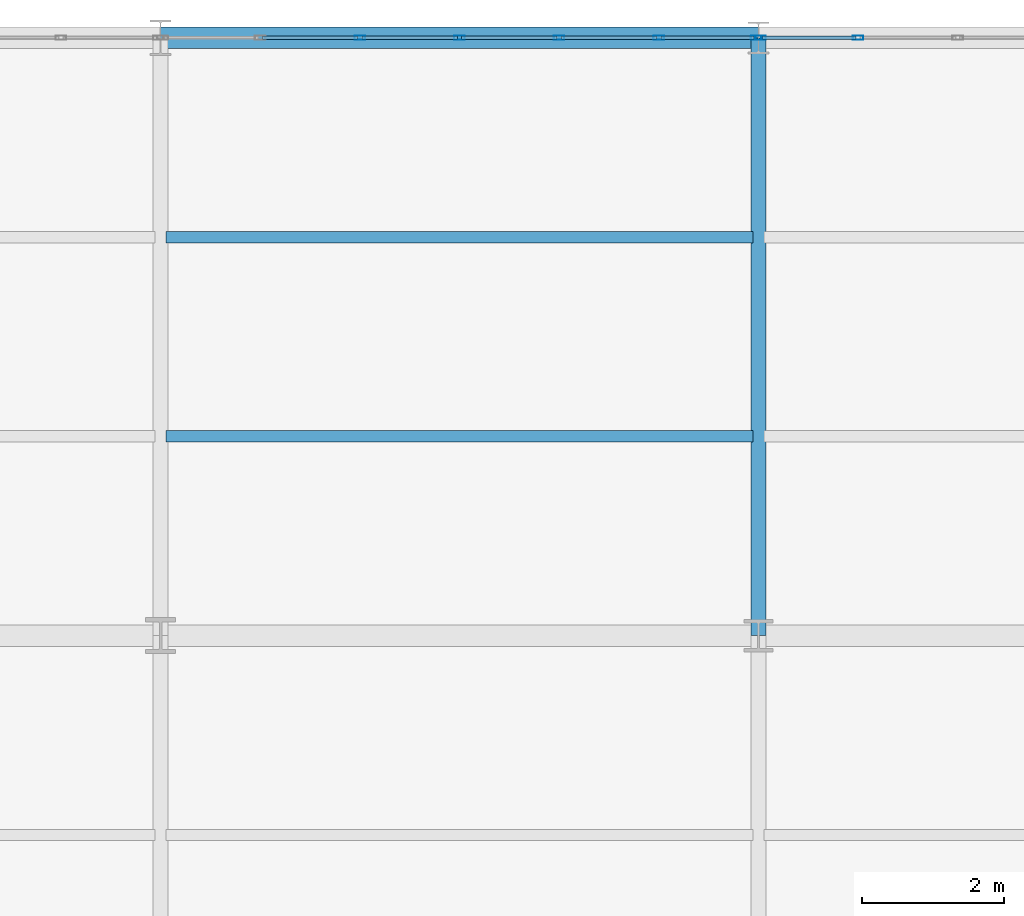
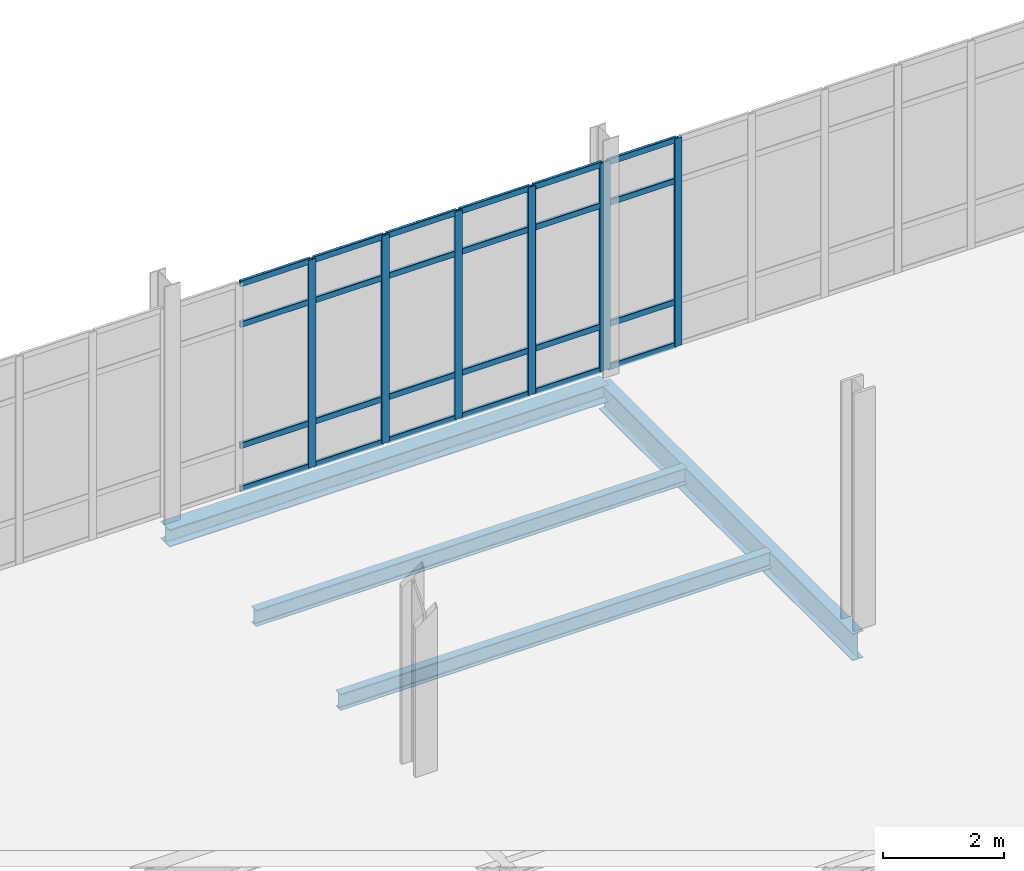
# One storey, part 86 of 145: 31 members, 4 beams, 2 elements without a shape of their own.
"""IFC4 building model written with IfcOpenShell, lengths in metres."""

from ifc_helpers import new_model, si_unit, direction, frame, origin, origin_2d, place, context, subcontext, project, spatial, hollow_rectangle, i_section, extrude, material, layer, layer_set, material_profile, profile_set, type_object, element, aggregate, save


model = new_model("IFC4")

# Units and contexts
model_context = context("Model", 3, precision=1e-05, world=origin(), true_north=direction((0.0, 1.0)))
body_context = subcontext(model_context, "Body", "Model", "MODEL_VIEW")
ifc_project = project(units=[si_unit("LENGTHUNIT", "METRE"), si_unit("AREAUNIT", "SQUARE_METRE"), si_unit("VOLUMEUNIT", "CUBIC_METRE"), si_unit("PLANEANGLEUNIT", "RADIAN"), si_unit("MASSUNIT", "GRAM", prefix="KILO")], contexts=[model_context])

# Site, building, storey
site_placement = place(None, origin())
site = spatial("IfcSite", under=ifc_project, at=site_placement, CompositionType="ELEMENT")
building_placement = place(site_placement, origin())
building = spatial("IfcBuilding", under=site, at=building_placement, Name="Qalvenar Corner Mobility Hub", CompositionType="ELEMENT")
storey_placement = place(building_placement, origin())
storey = spatial("IfcBuildingStorey", under=building, at=storey_placement, Name="L00", CompositionType="ELEMENT", Elevation=0.0)

# Beams
ifc_material_1 = material(Name="Steel S355", Category="steel")
ifc_material_profile_1 = material_profile(ifc_material_1, i_section(OverallWidth=0.2099609375, OverallDepth=0.550048828125, WebThickness=0.010986328125, FlangeThickness=0.01708984375, FilletRadius=0.02392578125, at=origin_2d()), Name="IPE550")
ifc_profile_set_1 = profile_set([ifc_material_profile_1], Name="Steel S355")
beam_type_1 = type_object("IfcBeamType", Name="BM-IPE550", PredefinedType="BEAM", material=ifc_profile_set_1)
beam_1_placement = place(storey_placement, frame((92.39990234375, 109.199951171875, -0.4951171875), z_axis=(0.0, 1.0, 0.0), x_axis=(-1.0, 0.0, 0.0)))
element("IfcBeam", 1, at=beam_1_placement, inside=storey, type_object=beam_type_1, Name="Primary Steel Girder GY-0616", PredefinedType="BEAM", context=body_context, shape_type="SweptSolid", body=[
    extrude(i_section(OverallWidth=0.2099609375, OverallDepth=0.550048828125, WebThickness=0.010986328125, FlangeThickness=0.01708984375, FilletRadius=0.02392578125, at=origin_2d()), origin(), (0.0, 0.0, 1.0), 8.400146484375),
])
ifc_material_profile_2 = material_profile(ifc_material_1, i_section(OverallWidth=0.159912109375, OverallDepth=0.330078125, WebThickness=0.007568359375, FlangeThickness=0.011474609375, FilletRadius=0.01806640625, at=origin_2d()), Name="IPE330")
ifc_profile_set_2 = profile_set([ifc_material_profile_2], Name="Steel S355")
beam_type_2 = type_object("IfcBeamType", Name="BM-JST330", PredefinedType="JOIST", material=ifc_profile_set_2)
for number, where, z_axis, x_axis, name in (
    (2, (84.077880859375, 112.0, -0.385009765625), (1.0, 0.0, 0.0), (0.0, 1.0, 0.0), "Composite Floor Joist J-0691"),
    (3, (84.077880859375, 114.800048828125, -0.385009765625), (1.0, 0.0, 0.0), (0.0, 1.0, 0.0), "Composite Floor Joist J-0692"),
):
    element("IfcBeam", number, at=place(storey_placement, frame(where, z_axis=z_axis, x_axis=x_axis)), inside=storey, type_object=beam_type_2, Name=name, PredefinedType="JOIST", context=body_context, shape_type="SweptSolid", body=[
        extrude(i_section(OverallWidth=0.159912109375, OverallDepth=0.330078125, WebThickness=0.007568359375, FlangeThickness=0.011474609375, FilletRadius=0.01806640625, at=origin_2d()), origin(), (0.0, 0.0, 1.0), 8.244140625),
    ])
ifc_material_profile_3 = material_profile(ifc_material_1, i_section(OverallWidth=0.300048828125, OverallDepth=0.35009765625, WebThickness=0.010009765625, FlangeThickness=0.017578125, FilletRadius=0.027099609375, at=origin_2d()), Name="HEA360")
ifc_profile_set_3 = profile_set([ifc_material_profile_3], Name="Steel S355")
beam_type_3 = type_object("IfcBeamType", Name="BM-SPN360", PredefinedType="SPANDREL", material=ifc_profile_set_3)
beam_2_placement = place(storey_placement, frame((84.0, 117.60009765625, -0.39501953125), z_axis=(1.0, 0.0, 0.0), x_axis=(0.0, 1.0, 0.0)))
element("IfcBeam", 4, at=beam_2_placement, inside=storey, type_object=beam_type_3, Name="Primary Steel Girder GX-0583", PredefinedType="SPANDREL", context=body_context, shape_type="SweptSolid", body=[
    extrude(i_section(OverallWidth=0.300048828125, OverallDepth=0.35009765625, WebThickness=0.010009765625, FlangeThickness=0.017578125, FilletRadius=0.027099609375, at=origin_2d()), origin(), (0.0, 0.0, 1.0), 8.39990234375),
])

# Curtain wall, members
ifc_material_2 = material(Name="Anodised Aluminium and Low-E Glazing", Category="aluminium")
ifc_layer = layer(ifc_material_2, 0.14990234375)
ifc_layer_set = layer_set([ifc_layer], Name="Anodised Aluminium and Low-E Glazing")
curtain_wall_type = type_object("IfcCurtainWallType", Name="CW-MOB-84X46", PredefinedType="NOTDEFINED", material=ifc_layer_set)
curtain_wall_1_placement = place(storey_placement, origin())
curtain_wall_1 = element("IfcCurtainWall", 5, at=curtain_wall_1_placement, inside=storey, type_object=curtain_wall_type, Name="Glazed Curtain Wall CW-V4-L00-N3", PredefinedType="NOTDEFINED")
ifc_material_3 = material(Name="Anodised Aluminium 6063-T6", Category="aluminium")
ifc_material_profile_4 = material_profile(ifc_material_3, hollow_rectangle(XDim=0.06005859375, YDim=0.14990234375, WallThickness=0.00390625, InnerFilletRadius=0.00390625, OuterFilletRadius=0.008056640625, at=origin_2d()), Name="RHS150x60x4")
ifc_profile_set_4 = profile_set([ifc_material_profile_4], Name="Anodised Aluminium 6063-T6")
member_type_1 = type_object("IfcMemberType", Name="CW-MUL150", PredefinedType="MULLION", material=ifc_profile_set_4)
member_1_placement = place(storey_placement, frame((92.3701171875, 117.60009765625, 0.0), z_axis=(0.0, 0.0, 1.0), x_axis=(0.0, -1.0, 0.0)))
member_1 = element("IfcMember", 6, at=member_1_placement, type_object=member_type_1, Name="CW-03 mullion 1", PredefinedType="MULLION", context=body_context, shape_type="SweptSolid", body=[
    extrude(hollow_rectangle(XDim=0.06005859375, YDim=0.14990234375, WallThickness=0.00390625, InnerFilletRadius=0.00390625, OuterFilletRadius=0.008056640625, at=origin_2d()), origin(), (0.0, 0.0, 1.0), 4.199951171875),
])
member_2_placement = place(storey_placement, frame((91.0, 117.60009765625, 0.0), z_axis=(0.0, 0.0, 1.0), x_axis=(0.0, -1.0, 0.0)))
member_2 = element("IfcMember", 7, at=member_2_placement, type_object=member_type_1, Name="CW-03 mullion 2", PredefinedType="MULLION", context=body_context, shape_type="SweptSolid", body=[
    extrude(hollow_rectangle(XDim=0.06005859375, YDim=0.14990234375, WallThickness=0.00390625, InnerFilletRadius=0.00390625, OuterFilletRadius=0.008056640625, at=origin_2d()), origin(), (0.0, 0.0, 1.0), 4.199951171875),
])
member_3_placement = place(storey_placement, frame((89.60009765625, 117.60009765625, 0.0), z_axis=(0.0, 0.0, 1.0), x_axis=(0.0, -1.0, 0.0)))
member_3 = element("IfcMember", 8, at=member_3_placement, type_object=member_type_1, Name="CW-03 mullion 3", PredefinedType="MULLION", context=body_context, shape_type="SweptSolid", body=[
    extrude(hollow_rectangle(XDim=0.06005859375, YDim=0.14990234375, WallThickness=0.00390625, InnerFilletRadius=0.00390625, OuterFilletRadius=0.008056640625, at=origin_2d()), origin(), (0.0, 0.0, 1.0), 4.199951171875),
])
member_4_placement = place(storey_placement, frame((88.199951171875, 117.60009765625, 0.0), z_axis=(0.0, 0.0, 1.0), x_axis=(0.0, -1.0, 0.0)))
member_4 = element("IfcMember", 9, at=member_4_placement, type_object=member_type_1, Name="CW-03 mullion 4", PredefinedType="MULLION", context=body_context, shape_type="SweptSolid", body=[
    extrude(hollow_rectangle(XDim=0.06005859375, YDim=0.14990234375, WallThickness=0.00390625, InnerFilletRadius=0.00390625, OuterFilletRadius=0.008056640625, at=origin_2d()), origin(), (0.0, 0.0, 1.0), 4.199951171875),
])
member_5_placement = place(storey_placement, frame((86.800048828125, 117.60009765625, 0.0), z_axis=(0.0, 0.0, 1.0), x_axis=(0.0, -1.0, 0.0)))
member_5 = element("IfcMember", 10, at=member_5_placement, type_object=member_type_1, Name="CW-03 mullion 5", PredefinedType="MULLION", context=body_context, shape_type="SweptSolid", body=[
    extrude(hollow_rectangle(XDim=0.06005859375, YDim=0.14990234375, WallThickness=0.00390625, InnerFilletRadius=0.00390625, OuterFilletRadius=0.008056640625, at=origin_2d()), origin(), (0.0, 0.0, 1.0), 4.199951171875),
])

curtain_wall_2_placement = place(storey_placement, origin())
curtain_wall_2 = element("IfcCurtainWall", 11, at=curtain_wall_2_placement, inside=storey, type_object=curtain_wall_type, Name="Glazed Curtain Wall CW-V4-L00-N4", PredefinedType="NOTDEFINED")
member_6_placement = place(storey_placement, frame((93.800048828125, 117.60009765625, 0.0), z_axis=(0.0, 0.0, 1.0), x_axis=(0.0, -1.0, 0.0)))
member_6 = element("IfcMember", 12, at=member_6_placement, type_object=member_type_1, Name="CW-03 mullion 6", PredefinedType="MULLION", context=body_context, shape_type="SweptSolid", body=[
    extrude(hollow_rectangle(XDim=0.06005859375, YDim=0.14990234375, WallThickness=0.00390625, InnerFilletRadius=0.00390625, OuterFilletRadius=0.008056640625, at=origin_2d()), origin(), (0.0, 0.0, 1.0), 4.199951171875),
])
member_7_placement = place(storey_placement, frame((92.429931640625, 117.60009765625, 0.0), z_axis=(0.0, 0.0, 1.0), x_axis=(0.0, -1.0, 0.0)))
member_7 = element("IfcMember", 13, at=member_7_placement, type_object=member_type_1, Name="CW-03 mullion 7", PredefinedType="MULLION", context=body_context, shape_type="SweptSolid", body=[
    extrude(hollow_rectangle(XDim=0.06005859375, YDim=0.14990234375, WallThickness=0.00390625, InnerFilletRadius=0.00390625, OuterFilletRadius=0.008056640625, at=origin_2d()), origin(), (0.0, 0.0, 1.0), 4.199951171875),
])

# Member
ifc_material_profile_5 = material_profile(ifc_material_3, hollow_rectangle(XDim=0.054931640625, YDim=0.1201171875, WallThickness=0.00341796875, InnerFilletRadius=0.00341796875, OuterFilletRadius=0.007080078125, at=origin_2d()), Name="RHS120x55x3.5")
ifc_profile_set_5 = profile_set([ifc_material_profile_5], Name="Anodised Aluminium 6063-T6")
member_type_2 = type_object("IfcMemberType", Name="CW-TRN120", PredefinedType="USERDEFINED", material=ifc_profile_set_5)
member_8_placement = place(storey_placement, frame((92.340087890625, 117.60009765625, 0.027587890625), z_axis=(-1.0, 0.0, 0.0), x_axis=(0.0, -1.0, 0.0)))
member_8 = element("IfcMember", 14, at=member_8_placement, type_object=member_type_2, Name="CW-03 transom 1.1", ObjectType="TRANSOM", PredefinedType="USERDEFINED", context=body_context, shape_type="SweptSolid", body=[
    extrude(hollow_rectangle(XDim=0.054931640625, YDim=0.1201171875, WallThickness=0.00341796875, InnerFilletRadius=0.00341796875, OuterFilletRadius=0.007080078125, at=origin_2d()), origin(), (0.0, 0.0, 1.0), 1.31005859375),
])

member_9_placement = place(storey_placement, frame((92.340087890625, 117.60009765625, 0.89990234375), z_axis=(-1.0, 0.0, 0.0), x_axis=(0.0, -1.0, 0.0)))
member_9 = element("IfcMember", 15, at=member_9_placement, type_object=member_type_2, Name="CW-03 transom 1.2", ObjectType="TRANSOM", PredefinedType="USERDEFINED", context=body_context, shape_type="SweptSolid", body=[
    extrude(hollow_rectangle(XDim=0.054931640625, YDim=0.1201171875, WallThickness=0.00341796875, InnerFilletRadius=0.00341796875, OuterFilletRadius=0.007080078125, at=origin_2d()), origin(), (0.0, 0.0, 1.0), 1.31005859375),
])

member_10_placement = place(storey_placement, frame((92.340087890625, 117.60009765625, 3.35009765625), z_axis=(-1.0, 0.0, 0.0), x_axis=(0.0, -1.0, 0.0)))
member_10 = element("IfcMember", 16, at=member_10_placement, type_object=member_type_2, Name="CW-03 transom 1.3", ObjectType="TRANSOM", PredefinedType="USERDEFINED", context=body_context, shape_type="SweptSolid", body=[
    extrude(hollow_rectangle(XDim=0.054931640625, YDim=0.1201171875, WallThickness=0.00341796875, InnerFilletRadius=0.00341796875, OuterFilletRadius=0.007080078125, at=origin_2d()), origin(), (0.0, 0.0, 1.0), 1.31005859375),
])

member_11_placement = place(storey_placement, frame((92.340087890625, 117.60009765625, 4.172607421875), z_axis=(-1.0, 0.0, 0.0), x_axis=(0.0, -1.0, 0.0)))
member_11 = element("IfcMember", 17, at=member_11_placement, type_object=member_type_2, Name="CW-03 transom 1.4", ObjectType="TRANSOM", PredefinedType="USERDEFINED", context=body_context, shape_type="SweptSolid", body=[
    extrude(hollow_rectangle(XDim=0.054931640625, YDim=0.1201171875, WallThickness=0.00341796875, InnerFilletRadius=0.00341796875, OuterFilletRadius=0.007080078125, at=origin_2d()), origin(), (0.0, 0.0, 1.0), 1.31005859375),
])

member_12_placement = place(storey_placement, frame((90.969970703125, 117.60009765625, 0.027587890625), z_axis=(-1.0, 0.0, 0.0), x_axis=(0.0, -1.0, 0.0)))
member_12 = element("IfcMember", 18, at=member_12_placement, type_object=member_type_2, Name="CW-03 transom 2.1", ObjectType="TRANSOM", PredefinedType="USERDEFINED", context=body_context, shape_type="SweptSolid", body=[
    extrude(hollow_rectangle(XDim=0.054931640625, YDim=0.1201171875, WallThickness=0.00341796875, InnerFilletRadius=0.00341796875, OuterFilletRadius=0.007080078125, at=origin_2d()), origin(), (0.0, 0.0, 1.0), 1.340087890625),
])

member_13_placement = place(storey_placement, frame((90.969970703125, 117.60009765625, 0.89990234375), z_axis=(-1.0, 0.0, 0.0), x_axis=(0.0, -1.0, 0.0)))
member_13 = element("IfcMember", 19, at=member_13_placement, type_object=member_type_2, Name="CW-03 transom 2.2", ObjectType="TRANSOM", PredefinedType="USERDEFINED", context=body_context, shape_type="SweptSolid", body=[
    extrude(hollow_rectangle(XDim=0.054931640625, YDim=0.1201171875, WallThickness=0.00341796875, InnerFilletRadius=0.00341796875, OuterFilletRadius=0.007080078125, at=origin_2d()), origin(), (0.0, 0.0, 1.0), 1.340087890625),
])

member_14_placement = place(storey_placement, frame((90.969970703125, 117.60009765625, 3.35009765625), z_axis=(-1.0, 0.0, 0.0), x_axis=(0.0, -1.0, 0.0)))
member_14 = element("IfcMember", 20, at=member_14_placement, type_object=member_type_2, Name="CW-03 transom 2.3", ObjectType="TRANSOM", PredefinedType="USERDEFINED", context=body_context, shape_type="SweptSolid", body=[
    extrude(hollow_rectangle(XDim=0.054931640625, YDim=0.1201171875, WallThickness=0.00341796875, InnerFilletRadius=0.00341796875, OuterFilletRadius=0.007080078125, at=origin_2d()), origin(), (0.0, 0.0, 1.0), 1.340087890625),
])

member_15_placement = place(storey_placement, frame((90.969970703125, 117.60009765625, 4.172607421875), z_axis=(-1.0, 0.0, 0.0), x_axis=(0.0, -1.0, 0.0)))
member_15 = element("IfcMember", 21, at=member_15_placement, type_object=member_type_2, Name="CW-03 transom 2.4", ObjectType="TRANSOM", PredefinedType="USERDEFINED", context=body_context, shape_type="SweptSolid", body=[
    extrude(hollow_rectangle(XDim=0.054931640625, YDim=0.1201171875, WallThickness=0.00341796875, InnerFilletRadius=0.00341796875, OuterFilletRadius=0.007080078125, at=origin_2d()), origin(), (0.0, 0.0, 1.0), 1.340087890625),
])

member_16_placement = place(storey_placement, frame((89.570068359375, 117.60009765625, 0.027587890625), z_axis=(-1.0, 0.0, 0.0), x_axis=(0.0, -1.0, 0.0)))
member_16 = element("IfcMember", 22, at=member_16_placement, type_object=member_type_2, Name="CW-03 transom 3.1", ObjectType="TRANSOM", PredefinedType="USERDEFINED", context=body_context, shape_type="SweptSolid", body=[
    extrude(hollow_rectangle(XDim=0.054931640625, YDim=0.1201171875, WallThickness=0.00341796875, InnerFilletRadius=0.00341796875, OuterFilletRadius=0.007080078125, at=origin_2d()), origin(), (0.0, 0.0, 1.0), 1.340087890625),
])

member_17_placement = place(storey_placement, frame((89.570068359375, 117.60009765625, 0.89990234375), z_axis=(-1.0, 0.0, 0.0), x_axis=(0.0, -1.0, 0.0)))
member_17 = element("IfcMember", 23, at=member_17_placement, type_object=member_type_2, Name="CW-03 transom 3.2", ObjectType="TRANSOM", PredefinedType="USERDEFINED", context=body_context, shape_type="SweptSolid", body=[
    extrude(hollow_rectangle(XDim=0.054931640625, YDim=0.1201171875, WallThickness=0.00341796875, InnerFilletRadius=0.00341796875, OuterFilletRadius=0.007080078125, at=origin_2d()), origin(), (0.0, 0.0, 1.0), 1.340087890625),
])

member_18_placement = place(storey_placement, frame((89.570068359375, 117.60009765625, 3.35009765625), z_axis=(-1.0, 0.0, 0.0), x_axis=(0.0, -1.0, 0.0)))
member_18 = element("IfcMember", 24, at=member_18_placement, type_object=member_type_2, Name="CW-03 transom 3.3", ObjectType="TRANSOM", PredefinedType="USERDEFINED", context=body_context, shape_type="SweptSolid", body=[
    extrude(hollow_rectangle(XDim=0.054931640625, YDim=0.1201171875, WallThickness=0.00341796875, InnerFilletRadius=0.00341796875, OuterFilletRadius=0.007080078125, at=origin_2d()), origin(), (0.0, 0.0, 1.0), 1.340087890625),
])

member_19_placement = place(storey_placement, frame((89.570068359375, 117.60009765625, 4.172607421875), z_axis=(-1.0, 0.0, 0.0), x_axis=(0.0, -1.0, 0.0)))
member_19 = element("IfcMember", 25, at=member_19_placement, type_object=member_type_2, Name="CW-03 transom 3.4", ObjectType="TRANSOM", PredefinedType="USERDEFINED", context=body_context, shape_type="SweptSolid", body=[
    extrude(hollow_rectangle(XDim=0.054931640625, YDim=0.1201171875, WallThickness=0.00341796875, InnerFilletRadius=0.00341796875, OuterFilletRadius=0.007080078125, at=origin_2d()), origin(), (0.0, 0.0, 1.0), 1.340087890625),
])

member_20_placement = place(storey_placement, frame((88.169921875, 117.60009765625, 0.027587890625), z_axis=(-1.0, 0.0, 0.0), x_axis=(0.0, -1.0, 0.0)))
member_20 = element("IfcMember", 26, at=member_20_placement, type_object=member_type_2, Name="CW-03 transom 4.1", ObjectType="TRANSOM", PredefinedType="USERDEFINED", context=body_context, shape_type="SweptSolid", body=[
    extrude(hollow_rectangle(XDim=0.054931640625, YDim=0.1201171875, WallThickness=0.00341796875, InnerFilletRadius=0.00341796875, OuterFilletRadius=0.007080078125, at=origin_2d()), origin(), (0.0, 0.0, 1.0), 1.33984375),
])

member_21_placement = place(storey_placement, frame((88.169921875, 117.60009765625, 0.89990234375), z_axis=(-1.0, 0.0, 0.0), x_axis=(0.0, -1.0, 0.0)))
member_21 = element("IfcMember", 27, at=member_21_placement, type_object=member_type_2, Name="CW-03 transom 4.2", ObjectType="TRANSOM", PredefinedType="USERDEFINED", context=body_context, shape_type="SweptSolid", body=[
    extrude(hollow_rectangle(XDim=0.054931640625, YDim=0.1201171875, WallThickness=0.00341796875, InnerFilletRadius=0.00341796875, OuterFilletRadius=0.007080078125, at=origin_2d()), origin(), (0.0, 0.0, 1.0), 1.33984375),
])

member_22_placement = place(storey_placement, frame((88.169921875, 117.60009765625, 3.35009765625), z_axis=(-1.0, 0.0, 0.0), x_axis=(0.0, -1.0, 0.0)))
member_22 = element("IfcMember", 28, at=member_22_placement, type_object=member_type_2, Name="CW-03 transom 4.3", ObjectType="TRANSOM", PredefinedType="USERDEFINED", context=body_context, shape_type="SweptSolid", body=[
    extrude(hollow_rectangle(XDim=0.054931640625, YDim=0.1201171875, WallThickness=0.00341796875, InnerFilletRadius=0.00341796875, OuterFilletRadius=0.007080078125, at=origin_2d()), origin(), (0.0, 0.0, 1.0), 1.33984375),
])

member_23_placement = place(storey_placement, frame((88.169921875, 117.60009765625, 4.172607421875), z_axis=(-1.0, 0.0, 0.0), x_axis=(0.0, -1.0, 0.0)))
member_23 = element("IfcMember", 29, at=member_23_placement, type_object=member_type_2, Name="CW-03 transom 4.4", ObjectType="TRANSOM", PredefinedType="USERDEFINED", context=body_context, shape_type="SweptSolid", body=[
    extrude(hollow_rectangle(XDim=0.054931640625, YDim=0.1201171875, WallThickness=0.00341796875, InnerFilletRadius=0.00341796875, OuterFilletRadius=0.007080078125, at=origin_2d()), origin(), (0.0, 0.0, 1.0), 1.33984375),
])

member_24_placement = place(storey_placement, frame((86.77001953125, 117.60009765625, 0.027587890625), z_axis=(-1.0, 0.0, 0.0), x_axis=(0.0, -1.0, 0.0)))
member_24 = element("IfcMember", 30, at=member_24_placement, type_object=member_type_2, Name="CW-03 transom 5.1", ObjectType="TRANSOM", PredefinedType="USERDEFINED", context=body_context, shape_type="SweptSolid", body=[
    extrude(hollow_rectangle(XDim=0.054931640625, YDim=0.1201171875, WallThickness=0.00341796875, InnerFilletRadius=0.00341796875, OuterFilletRadius=0.007080078125, at=origin_2d()), origin(), (0.0, 0.0, 1.0), 1.340087890625),
])

member_25_placement = place(storey_placement, frame((86.77001953125, 117.60009765625, 0.89990234375), z_axis=(-1.0, 0.0, 0.0), x_axis=(0.0, -1.0, 0.0)))
member_25 = element("IfcMember", 31, at=member_25_placement, type_object=member_type_2, Name="CW-03 transom 5.2", ObjectType="TRANSOM", PredefinedType="USERDEFINED", context=body_context, shape_type="SweptSolid", body=[
    extrude(hollow_rectangle(XDim=0.054931640625, YDim=0.1201171875, WallThickness=0.00341796875, InnerFilletRadius=0.00341796875, OuterFilletRadius=0.007080078125, at=origin_2d()), origin(), (0.0, 0.0, 1.0), 1.340087890625),
])

member_26_placement = place(storey_placement, frame((86.77001953125, 117.60009765625, 3.35009765625), z_axis=(-1.0, 0.0, 0.0), x_axis=(0.0, -1.0, 0.0)))
member_26 = element("IfcMember", 32, at=member_26_placement, type_object=member_type_2, Name="CW-03 transom 5.3", ObjectType="TRANSOM", PredefinedType="USERDEFINED", context=body_context, shape_type="SweptSolid", body=[
    extrude(hollow_rectangle(XDim=0.054931640625, YDim=0.1201171875, WallThickness=0.00341796875, InnerFilletRadius=0.00341796875, OuterFilletRadius=0.007080078125, at=origin_2d()), origin(), (0.0, 0.0, 1.0), 1.340087890625),
])

member_27_placement = place(storey_placement, frame((86.77001953125, 117.60009765625, 4.172607421875), z_axis=(-1.0, 0.0, 0.0), x_axis=(0.0, -1.0, 0.0)))
member_27 = element("IfcMember", 33, at=member_27_placement, type_object=member_type_2, Name="CW-03 transom 5.4", ObjectType="TRANSOM", PredefinedType="USERDEFINED", context=body_context, shape_type="SweptSolid", body=[
    extrude(hollow_rectangle(XDim=0.054931640625, YDim=0.1201171875, WallThickness=0.00341796875, InnerFilletRadius=0.00341796875, OuterFilletRadius=0.007080078125, at=origin_2d()), origin(), (0.0, 0.0, 1.0), 1.340087890625),
])

aggregate(curtain_wall_1, [member_1, member_2, member_3, member_4, member_5, member_8, member_9, member_10, member_11, member_12, member_13, member_14, member_15, member_16, member_17, member_18, member_19, member_20, member_21, member_22, member_23, member_24, member_25, member_26, member_27])

member_28_placement = place(storey_placement, frame((93.77001953125, 117.60009765625, 0.027587890625), z_axis=(-1.0, 0.0, 0.0), x_axis=(0.0, -1.0, 0.0)))
member_28 = element("IfcMember", 34, at=member_28_placement, type_object=member_type_2, Name="CW-03 transom 6.1", ObjectType="TRANSOM", PredefinedType="USERDEFINED", context=body_context, shape_type="SweptSolid", body=[
    extrude(hollow_rectangle(XDim=0.054931640625, YDim=0.1201171875, WallThickness=0.00341796875, InnerFilletRadius=0.00341796875, OuterFilletRadius=0.007080078125, at=origin_2d()), origin(), (0.0, 0.0, 1.0), 1.31005859375),
])

member_29_placement = place(storey_placement, frame((93.77001953125, 117.60009765625, 0.89990234375), z_axis=(-1.0, 0.0, 0.0), x_axis=(0.0, -1.0, 0.0)))
member_29 = element("IfcMember", 35, at=member_29_placement, type_object=member_type_2, Name="CW-03 transom 6.2", ObjectType="TRANSOM", PredefinedType="USERDEFINED", context=body_context, shape_type="SweptSolid", body=[
    extrude(hollow_rectangle(XDim=0.054931640625, YDim=0.1201171875, WallThickness=0.00341796875, InnerFilletRadius=0.00341796875, OuterFilletRadius=0.007080078125, at=origin_2d()), origin(), (0.0, 0.0, 1.0), 1.31005859375),
])

member_30_placement = place(storey_placement, frame((93.77001953125, 117.60009765625, 3.35009765625), z_axis=(-1.0, 0.0, 0.0), x_axis=(0.0, -1.0, 0.0)))
member_30 = element("IfcMember", 36, at=member_30_placement, type_object=member_type_2, Name="CW-03 transom 6.3", ObjectType="TRANSOM", PredefinedType="USERDEFINED", context=body_context, shape_type="SweptSolid", body=[
    extrude(hollow_rectangle(XDim=0.054931640625, YDim=0.1201171875, WallThickness=0.00341796875, InnerFilletRadius=0.00341796875, OuterFilletRadius=0.007080078125, at=origin_2d()), origin(), (0.0, 0.0, 1.0), 1.31005859375),
])

member_31_placement = place(storey_placement, frame((93.77001953125, 117.60009765625, 4.172607421875), z_axis=(-1.0, 0.0, 0.0), x_axis=(0.0, -1.0, 0.0)))
member_31 = element("IfcMember", 37, at=member_31_placement, type_object=member_type_2, Name="CW-03 transom 6.4", ObjectType="TRANSOM", PredefinedType="USERDEFINED", context=body_context, shape_type="SweptSolid", body=[
    extrude(hollow_rectangle(XDim=0.054931640625, YDim=0.1201171875, WallThickness=0.00341796875, InnerFilletRadius=0.00341796875, OuterFilletRadius=0.007080078125, at=origin_2d()), origin(), (0.0, 0.0, 1.0), 1.31005859375),
])

aggregate(curtain_wall_2, [member_6, member_7, member_28, member_29, member_30, member_31])

save(model, "model.ifc")
